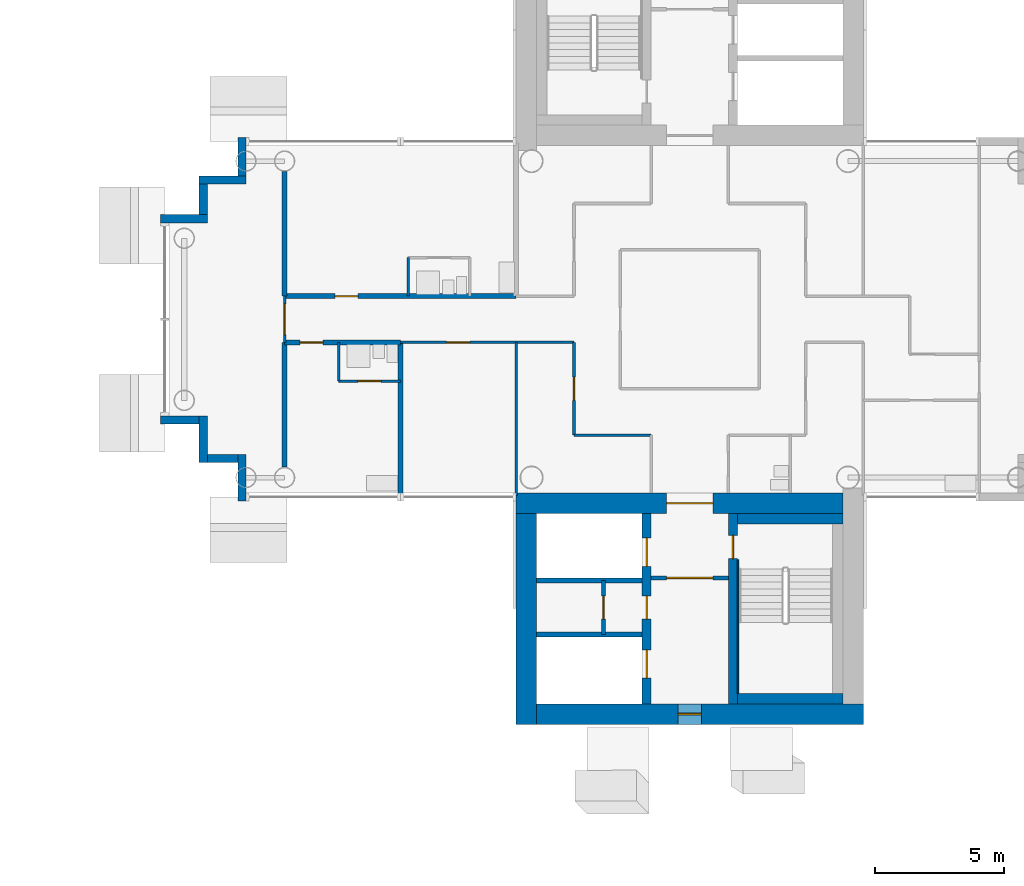
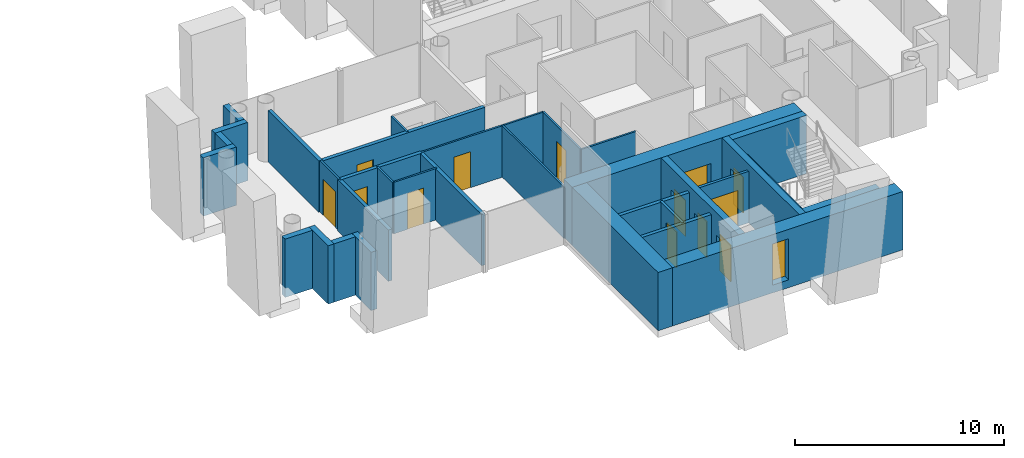
# One storey, part 9 of 18: 33 walls, 13 doors, 1 window, 14 openings.
"""IFC4 building model written with IfcOpenShell, lengths in metres."""

from ifc_helpers import new_model, si_unit, direction, frame, frame_2d, origin, place, context, subcontext, project, spatial, rectangle, extrude, material, layer, layer_set, type_object, element, fill, save


model = new_model("IFC4")

# Units and contexts
model_context = context("Model", 3, precision=1e-05, world=origin(), true_north=direction((0.0, 1.0)))
body_context = subcontext(model_context, "Body", "Model", "MODEL_VIEW")
ifc_project = project(units=[si_unit("LENGTHUNIT", "METRE"), si_unit("AREAUNIT", "SQUARE_METRE"), si_unit("VOLUMEUNIT", "CUBIC_METRE"), si_unit("PLANEANGLEUNIT", "RADIAN"), si_unit("MASSUNIT", "GRAM", prefix="KILO")], contexts=[model_context])

# Site, building, storey
site_placement = place(None, origin())
site = spatial("IfcSite", under=ifc_project, at=site_placement, CompositionType="ELEMENT")
building_placement = place(site_placement, origin())
building = spatial("IfcBuilding", under=site, at=building_placement, Name="Ipe Terrace Towers", CompositionType="ELEMENT")
storey_placement = place(building_placement, frame((0.0, 0.0, 171.10009765625)))
storey = spatial("IfcBuildingStorey", under=building, at=storey_placement, Name="L47", CompositionType="ELEMENT", Elevation=171.10009765625)

# Walls
ifc_material_1 = material(Name="Concrete C40/50 with buff precast cladding", Category="concrete")
ifc_layer_1 = layer(ifc_material_1, 0.320068359375)
ifc_layer_set_1 = layer_set([ifc_layer_1], Name="BUFF CLADDING WALL 320")
wall_type_1 = type_object("IfcWallType", Name="BUFF CLADDING WALL 320", PredefinedType="STANDARD", material=ifc_layer_set_1)
wall_1_placement = place(storey_placement, frame((18.590087890625, 7.070068359375, -0.300048828125), z_axis=(0.0, 0.0, 1.0), x_axis=(0.0, -1.0, 0.0)))
element("IfcWall", 1, at=wall_1_placement, inside=storey, type_object=wall_type_1, Name="T2-W-L47-30a wall", PredefinedType="STANDARD", context=body_context, shape_type="SweptSolid", body=[
    extrude(rectangle(XDim=1.5, YDim=0.320068359375, at=frame_2d((0.75, 0.0))), origin(), (0.0, 0.0, 1.0), 3.39990234375),
])
wall_2_placement = place(storey_placement, frame((18.75, 5.409912109375, -0.300048828125), z_axis=(0.0, 0.0, 1.0), x_axis=(-1.0, 0.0, 0.0)))
element("IfcWall", 2, at=wall_2_placement, inside=storey, type_object=wall_type_1, Name="T2-W-L47-31a wall", PredefinedType="STANDARD", context=body_context, shape_type="SweptSolid", body=[
    extrude(rectangle(XDim=1.820068359375, YDim=0.320068359375, at=frame_2d((0.91015625, 0.0))), origin(), (0.0, 0.0, 1.0), 3.39990234375),
])
wall_3_placement = place(storey_placement, frame((17.090087890625, 5.25, -0.300048828125), z_axis=(0.0, 0.0, 1.0), x_axis=(0.0, -1.0, 0.0)))
element("IfcWall", 3, at=wall_3_placement, inside=storey, type_object=wall_type_1, Name="T2-W-L47-32a wall", PredefinedType="STANDARD", context=body_context, shape_type="SweptSolid", body=[
    extrude(rectangle(XDim=1.179931640625, YDim=0.320068359375, at=frame_2d((0.58984375, 0.0))), origin(), (0.0, 0.0, 1.0), 3.39990234375),
])
wall_4_placement = place(storey_placement, frame((17.25, 3.909912109375, -0.300048828125), z_axis=(0.0, 0.0, 1.0), x_axis=(-1.0, 0.0, 0.0)))
element("IfcWall", 4, at=wall_4_placement, inside=storey, type_object=wall_type_1, Name="T2-W-L47-33a wall", PredefinedType="STANDARD", context=body_context, shape_type="SweptSolid", body=[
    extrude(rectangle(XDim=1.820068359375, YDim=0.320068359375, at=frame_2d((0.91015625, 0.0))), origin(), (0.0, 0.0, 1.0), 3.39990234375),
])
wall_5_placement = place(storey_placement, frame((15.429931640625, -3.909912109375, -0.300048828125), z_axis=(0.0, 0.0, 1.0), x_axis=(1.0, 0.0, 0.0)))
element("IfcWall", 5, at=wall_5_placement, inside=storey, type_object=wall_type_1, Name="T2-W-L47-35a wall", PredefinedType="STANDARD", context=body_context, shape_type="SweptSolid", body=[
    extrude(rectangle(XDim=1.5, YDim=0.320068359375, at=frame_2d((0.75, 0.0))), origin(), (0.0, 0.0, 1.0), 3.39990234375),
])
wall_6_placement = place(storey_placement, frame((17.090087890625, -3.75, -0.300048828125), z_axis=(0.0, 0.0, 1.0), x_axis=(0.0, -1.0, 0.0)))
element("IfcWall", 6, at=wall_6_placement, inside=storey, type_object=wall_type_1, Name="T2-W-L47-36a wall", PredefinedType="STANDARD", context=body_context, shape_type="SweptSolid", body=[
    extrude(rectangle(XDim=1.820068359375, YDim=0.320068359375, at=frame_2d((0.91015625, 0.0))), origin(), (0.0, 0.0, 1.0), 3.39990234375),
])
wall_7_placement = place(storey_placement, frame((17.25, -5.409912109375, -0.300048828125), z_axis=(0.0, 0.0, 1.0), x_axis=(1.0, 0.0, 0.0)))
element("IfcWall", 7, at=wall_7_placement, inside=storey, type_object=wall_type_1, Name="T2-W-L47-37a wall", PredefinedType="STANDARD", context=body_context, shape_type="SweptSolid", body=[
    extrude(rectangle(XDim=1.179931640625, YDim=0.320068359375, at=frame_2d((0.58984375, 0.0))), origin(), (0.0, 0.0, 1.0), 3.39990234375),
])
wall_8_placement = place(storey_placement, frame((18.590087890625, -5.25, -0.300048828125), z_axis=(0.0, 0.0, 1.0), x_axis=(0.0, -1.0, 0.0)))
element("IfcWall", 8, at=wall_8_placement, inside=storey, type_object=wall_type_1, Name="T2-W-L47-38a wall", PredefinedType="STANDARD", context=body_context, shape_type="SweptSolid", body=[
    extrude(rectangle(XDim=1.820068359375, YDim=0.320068359375, at=frame_2d((0.91015625, 0.0))), origin(), (0.0, 0.0, 1.0), 3.39990234375),
])
ifc_material_2 = material(Name="Gypsum board partition", Category="plasterboard")
ifc_layer_2 = layer(ifc_material_2, 0.10009765625)
ifc_layer_set_2 = layer_set([ifc_layer_2], Name="Gypsum board partition 100 mm")
wall_type_2 = type_object("IfcWallType", Name="Gypsum board partition 100 mm", PredefinedType="PARTITIONING", material=ifc_layer_set_2)
wall_9_placement = place(storey_placement, frame((34.5, -4.5, 0.0), z_axis=(0.0, 0.0, 1.0), x_axis=(-1.0, 0.0, 0.0)))
element("IfcWall", 9, at=wall_9_placement, inside=storey, type_object=wall_type_2, Name="Gypsum board partition T2 L47 W02", PredefinedType="PARTITIONING", context=body_context, shape_type="SweptSolid", body=[
    extrude(rectangle(XDim=3.0, YDim=0.10009765625, at=frame_2d((1.5, 0.0))), origin(), (0.0, 0.0, 1.0), 3.0),
])

# Wall, opening, door
wall_10_placement = place(storey_placement, frame((24.75, -2.39990234375, 0.0), z_axis=(0.0, 0.0, 1.0), x_axis=(-1.0, 0.0, 0.0)))
wall_10 = element("IfcWall", 10, at=wall_10_placement, inside=storey, type_object=wall_type_2, Name="Gypsum board partition T2 L47 W05", PredefinedType="PARTITIONING", context=body_context, shape_type="SweptSolid", body=[
    extrude(rectangle(XDim=2.39990234375, YDim=0.10009765625, at=frame_2d((1.199951171875, 0.0))), origin(), (0.0, 0.0, 1.0), 3.0),
])
opening_1_placement = place(wall_10_placement, frame((0.75, 0.0, 0.0)))
opening_1 = element("IfcOpeningElement", 11, at=opening_1_placement, cuts=wall_10, Name="Opening T2-Z3F-09", PredefinedType="OPENING", context=body_context, shape_type="SweptSolid", body=[
    extrude(rectangle(XDim=0.89990234375, YDim=2.10009765625, at=frame_2d((0.449951171875, 1.050048828125))), frame((0.0, 0.06005859375, 0.0), z_axis=(0.0, -1.0, 0.0), x_axis=(1.0, 0.0, 0.0)), (0.0, 0.0, 1.0), 0.1201171875),
])
ifc_material_3 = material(Name="Timber door leaf", Category="wood")
door_type_1 = type_object("IfcDoorType", Name="Bathroom door 900 x 2100", OperationType="NOTDEFINED", PredefinedType="DOOR", material=ifc_material_3)
door_1_placement = place(opening_1_placement, origin())
door_1 = element("IfcDoor", 12, at=door_1_placement, inside=storey, type_object=door_type_1, Name="Bathroom door T2-Z3F-09", OperationType="SINGLE_SWING_LEFT", OverallHeight=2.10009765625, OverallWidth=0.89990234375, PredefinedType="DOOR", context=body_context, shape_type="SweptSolid", body=[
    extrude(rectangle(XDim=0.89990234375, YDim=2.10009765625, at=frame_2d((0.449951171875, 1.050048828125))), frame((0.0, 0.02490234375, 0.0), z_axis=(0.0, -1.0, 0.0), x_axis=(1.0, 0.0, 0.0)), (0.0, 0.0, 1.0), 0.050048828125),
])
fill(opening_1, door_1)

wall_11_placement = place(storey_placement, frame((31.5, -0.89990234375, 0.0), z_axis=(0.0, 0.0, 1.0), x_axis=(-1.0, 0.0, 0.0)))
wall_11 = element("IfcWall", 13, at=wall_11_placement, inside=storey, type_object=wall_type_2, Name="Gypsum board partition T2 L47 W08", PredefinedType="PARTITIONING", context=body_context, shape_type="SweptSolid", body=[
    extrude(rectangle(XDim=6.75, YDim=0.10009765625, at=frame_2d((3.375, 0.0))), origin(), (0.0, 0.0, 1.0), 3.0),
])
opening_2_placement = place(wall_11_placement, frame((4.050048828125, 0.0, 0.0)))
opening_2 = element("IfcOpeningElement", 14, at=opening_2_placement, cuts=wall_11, Name="Opening T2-Z3F-07", PredefinedType="OPENING", context=body_context, shape_type="SweptSolid", body=[
    extrude(rectangle(XDim=0.89990234375, YDim=2.10009765625, at=frame_2d((0.449951171875, 1.050048828125))), frame((0.0, 0.06005859375, 0.0), z_axis=(0.0, -1.0, 0.0), x_axis=(1.0, 0.0, 0.0)), (0.0, 0.0, 1.0), 0.1201171875),
])
ifc_material_4 = material(Name="Timber door leaf", Category="wood")
door_type_2 = type_object("IfcDoorType", Name="Lounge door 900 x 2100", OperationType="NOTDEFINED", PredefinedType="DOOR", material=ifc_material_4)
door_2_placement = place(opening_2_placement, origin())
door_2 = element("IfcDoor", 15, at=door_2_placement, inside=storey, type_object=door_type_2, Name="Lounge door T2-Z3F-07", OperationType="SINGLE_SWING_LEFT", OverallHeight=2.10009765625, OverallWidth=0.89990234375, PredefinedType="DOOR", context=body_context, shape_type="SweptSolid", body=[
    extrude(rectangle(XDim=0.89990234375, YDim=2.10009765625, at=frame_2d((0.449951171875, 1.050048828125))), frame((0.0, 0.02490234375, 0.0), z_axis=(0.0, -1.0, 0.0), x_axis=(1.0, 0.0, 0.0)), (0.0, 0.0, 1.0), 0.050048828125),
])
fill(opening_2, door_2)

wall_12_placement = place(storey_placement, frame((31.5, -4.5, 0.0), z_axis=(0.0, 0.0, 1.0), x_axis=(0.0, 1.0, 0.0)))
wall_12 = element("IfcWall", 16, at=wall_12_placement, inside=storey, type_object=wall_type_2, Name="Gypsum board partition T2 L47 W41", PredefinedType="PARTITIONING", context=body_context, shape_type="SweptSolid", body=[
    extrude(rectangle(XDim=3.60009765625, YDim=0.10009765625, at=frame_2d((1.800048828125, 0.0))), origin(), (0.0, 0.0, 1.0), 3.0),
])
opening_3_placement = place(wall_12_placement, frame((1.35009765625, 0.0, 0.0)))
opening_3 = element("IfcOpeningElement", 17, at=opening_3_placement, cuts=wall_12, Name="Opening T2-Z3F-04", PredefinedType="OPENING", context=body_context, shape_type="SweptSolid", body=[
    extrude(rectangle(XDim=0.89990234375, YDim=2.10009765625, at=frame_2d((0.449951171875, 1.050048828125))), frame((0.0, 0.06005859375, 0.0), z_axis=(0.0, -1.0, 0.0), x_axis=(1.0, 0.0, 0.0)), (0.0, 0.0, 1.0), 0.1201171875),
])
door_3_placement = place(opening_3_placement, origin())
door_3 = element("IfcDoor", 18, at=door_3_placement, inside=storey, type_object=door_type_2, Name="Lounge door T2-Z3F-04", OperationType="SINGLE_SWING_LEFT", OverallHeight=2.10009765625, OverallWidth=0.89990234375, PredefinedType="DOOR", context=body_context, shape_type="SweptSolid", body=[
    extrude(rectangle(XDim=0.89990234375, YDim=2.10009765625, at=frame_2d((0.449951171875, 1.050048828125))), frame((0.0, 0.02490234375, 0.0), z_axis=(0.0, -1.0, 0.0), x_axis=(1.0, 0.0, 0.0)), (0.0, 0.0, 1.0), 0.050048828125),
])
fill(opening_3, door_3)

# Walls
wall_13_placement = place(storey_placement, frame((29.25, -6.85009765625, 0.0), z_axis=(0.0, 0.0, 1.0), x_axis=(0.0, 1.0, 0.0)))
element("IfcWall", 19, at=wall_13_placement, inside=storey, type_object=wall_type_2, Name="Gypsum board partition T2 L47 W43", PredefinedType="PARTITIONING", context=body_context, shape_type="SweptSolid", body=[
    extrude(rectangle(XDim=5.9501953125, YDim=0.10009765625, at=frame_2d((2.97509765625, 0.0))), origin(), (0.0, 0.0, 1.0), 3.0),
])
for number, where, z_axis, x_axis, name in (
    (20, (25.050048828125, 0.89990234375, 0.0), (0.0, 0.0, 1.0), (0.0, 1.0, 0.0), "Gypsum board partition T2 L47 W46"),
    (21, (22.35009765625, -2.39990234375, 0.0), (0.0, 0.0, 1.0), (0.0, 1.0, 0.0), "Gypsum board partition T2 L47 W48"),
):
    element("IfcWall", number, at=place(storey_placement, frame(where, z_axis=z_axis, x_axis=x_axis)), inside=storey, type_object=wall_type_2, Name=name, PredefinedType="PARTITIONING", context=body_context, shape_type="SweptSolid", body=[
        extrude(rectangle(XDim=1.5, YDim=0.10009765625, at=frame_2d((0.75, 0.0))), origin(), (0.0, 0.0, 1.0), 3.0),
    ])

# Wall, opening, door
wall_14_placement = place(storey_placement, frame((20.25, -0.89990234375, 0.0), z_axis=(0.0, 0.0, 1.0), x_axis=(0.0, 1.0, 0.0)))
wall_14 = element("IfcWall", 22, at=wall_14_placement, inside=storey, type_object=wall_type_2, Name="Gypsum board partition T2 L47 W49", PredefinedType="PARTITIONING", context=body_context, shape_type="SweptSolid", body=[
    extrude(rectangle(XDim=1.7998046875, YDim=0.10009765625, at=frame_2d((0.89990234375, 0.0))), origin(), (0.0, 0.0, 1.0), 3.0),
])
opening_4_placement = place(wall_14_placement, frame((0.300048828125, 0.0, 0.0)))
opening_4 = element("IfcOpeningElement", 23, at=opening_4_placement, cuts=wall_14, Name="Opening T2-Z3F-12", PredefinedType="OPENING", context=body_context, shape_type="SweptSolid", body=[
    extrude(rectangle(XDim=1.199951171875, YDim=2.10009765625, at=frame_2d((0.60009765625, 1.050048828125))), frame((0.0, 0.06005859375, 0.0), z_axis=(0.0, -1.0, 0.0), x_axis=(1.0, 0.0, 0.0)), (0.0, 0.0, 1.0), 0.1201171875),
])
ifc_material_5 = material(Name="Timber door leaf", Category="wood")
door_type_3 = type_object("IfcDoorType", Name="Lounge door 1200 x 2100", OperationType="NOTDEFINED", PredefinedType="DOOR", material=ifc_material_5)
door_4_placement = place(opening_4_placement, origin())
door_4 = element("IfcDoor", 24, at=door_4_placement, inside=storey, type_object=door_type_3, Name="Lounge door T2-Z3F-12", OperationType="SINGLE_SWING_LEFT", OverallHeight=2.10009765625, OverallWidth=1.199951171875, PredefinedType="DOOR", context=body_context, shape_type="SweptSolid", body=[
    extrude(rectangle(XDim=1.199951171875, YDim=2.10009765625, at=frame_2d((0.60009765625, 1.050048828125))), frame((0.0, 0.02490234375, 0.0), z_axis=(0.0, -1.0, 0.0), x_axis=(1.0, 0.0, 0.0)), (0.0, 0.0, 1.0), 0.050048828125),
])
fill(opening_4, door_4)

ifc_material_6 = material(Name="Gypsum board partition", Category="plasterboard")
ifc_layer_3 = layer(ifc_material_6, 0.14990234375)
ifc_layer_set_3 = layer_set([ifc_layer_3], Name="Gypsum board partition 150 mm")
wall_type_3 = type_object("IfcWallType", Name="Gypsum board partition 150 mm", PredefinedType="PARTITIONING", material=ifc_layer_set_3)
wall_15_placement = place(storey_placement, frame((34.5, -10.050048828125, 0.0), z_axis=(0.0, 0.0, 1.0), x_axis=(1.0, 0.0, 0.0)))
wall_15 = element("IfcWall", 25, at=wall_15_placement, inside=storey, type_object=wall_type_3, Name="Gypsum board partition T2 L47 t2c2-lobby-wall", PredefinedType="PARTITIONING", context=body_context, shape_type="SweptSolid", body=[
    extrude(rectangle(XDim=3.0, YDim=0.14990234375, at=frame_2d((1.5, 0.0))), origin(), (0.0, 0.0, 1.0), 3.0),
])
opening_5_placement = place(wall_15_placement, frame((0.60009765625, 0.0, 0.0)))
opening_5 = element("IfcOpeningElement", 26, at=opening_5_placement, cuts=wall_15, Name="Opening T2C2-VD", PredefinedType="OPENING", context=body_context, shape_type="SweptSolid", body=[
    extrude(rectangle(XDim=1.800048828125, YDim=2.10009765625, at=frame_2d((0.89990234375, 1.050048828125))), frame((0.0, 0.0849609375, 0.0), z_axis=(0.0, -1.0, 0.0), x_axis=(1.0, 0.0, 0.0)), (0.0, 0.0, 1.0), 0.169921875),
])
ifc_material_7 = material(Name="Fire-rated timber door leaf", Category="wood")
door_type_4 = type_object("IfcDoorType", Name="Lobby door 1800 x 2100 FD60", OperationType="NOTDEFINED", PredefinedType="DOOR", material=ifc_material_7)
door_5_placement = place(opening_5_placement, origin())
door_5 = element("IfcDoor", 27, at=door_5_placement, inside=storey, type_object=door_type_4, Name="Lobby door T2C2-VD", OperationType="SINGLE_SWING_LEFT", OverallHeight=2.10009765625, OverallWidth=1.800048828125, PredefinedType="DOOR", context=body_context, shape_type="SweptSolid", body=[
    extrude(rectangle(XDim=1.800048828125, YDim=2.10009765625, at=frame_2d((0.89990234375, 1.050048828125))), frame((0.0, 0.02490234375, 0.0), z_axis=(0.0, -1.0, 0.0), x_axis=(1.0, 0.0, 0.0)), (0.0, 0.0, 1.0), 0.050048828125),
])
fill(opening_5, door_5)

wall_16_placement = place(storey_placement, frame((32.64990234375, -10.14990234375, 0.0), z_axis=(0.0, 0.0, 1.0), x_axis=(0.0, -1.0, 0.0)))
wall_16 = element("IfcWall", 28, at=wall_16_placement, inside=storey, type_object=wall_type_3, Name="Gypsum board partition T2 L47 t2c2-q-back", PredefinedType="PARTITIONING", context=body_context, shape_type="SweptSolid", body=[
    extrude(rectangle(XDim=2.10009765625, YDim=0.14990234375, at=frame_2d((1.050048828125, 0.0))), origin(), (0.0, 0.0, 1.0), 3.0),
])
opening_6_placement = place(wall_16_placement, frame((0.60009765625, 0.0, 0.0)))
opening_6 = element("IfcOpeningElement", 29, at=opening_6_placement, cuts=wall_16, Name="Opening T2C2-RB-FD30S", PredefinedType="OPENING", context=body_context, shape_type="SweptSolid", body=[
    extrude(rectangle(XDim=0.89990234375, YDim=2.10009765625, at=frame_2d((0.449951171875, 1.050048828125))), frame((0.0, 0.0849609375, 0.0), z_axis=(0.0, -1.0, 0.0), x_axis=(1.0, 0.0, 0.0)), (0.0, 0.0, 1.0), 0.169921875),
])
ifc_material_8 = material(Name="Fire-rated timber door leaf", Category="wood")
door_type_5 = type_object("IfcDoorType", Name="Service door 900 x 2100 FD30S", OperationType="NOTDEFINED", PredefinedType="DOOR", material=ifc_material_8)
door_6_placement = place(opening_6_placement, origin())
door_6 = element("IfcDoor", 30, at=door_6_placement, inside=storey, type_object=door_type_5, Name="Service door T2C2-RB-FD30S", OperationType="SINGLE_SWING_LEFT", OverallHeight=2.10009765625, OverallWidth=0.89990234375, PredefinedType="DOOR", context=body_context, shape_type="SweptSolid", body=[
    extrude(rectangle(XDim=0.89990234375, YDim=2.10009765625, at=frame_2d((0.449951171875, 1.050048828125))), frame((0.0, 0.02490234375, 0.0), z_axis=(0.0, -1.0, 0.0), x_axis=(1.0, 0.0, 0.0)), (0.0, 0.0, 1.0), 0.050048828125),
])
fill(opening_6, door_6)

# Walls
ifc_material_9 = material(Name="Gypsum board party wall", Category="plasterboard")
ifc_layer_4 = layer(ifc_material_9, 0.199951171875)
ifc_layer_set_4 = layer_set([ifc_layer_4], Name="Gypsum board party wall 200 mm")
wall_type_4 = type_object("IfcWallType", Name="Gypsum board party wall 200 mm", PredefinedType="SOLIDWALL", material=ifc_layer_set_4)
for number, where, z_axis, x_axis, name in (
    (31, (30.050048828125, -12.25, 0.0), (0.0, 0.0, 1.0), (1.0, 0.0, 0.0), "Gypsum board party wall T2 L47 t2c2-shaft-div2"),
    (32, (30.050048828125, -10.14990234375, 0.0), (0.0, 0.0, 1.0), (1.0, 0.0, 0.0), "Gypsum board party wall T2 L47 t2c2-shaft-div1"),
):
    element("IfcWall", number, at=place(storey_placement, frame(where, z_axis=z_axis, x_axis=x_axis)), inside=storey, type_object=wall_type_4, Name=name, PredefinedType="SOLIDWALL", context=body_context, shape_type="SweptSolid", body=[
        extrude(rectangle(XDim=4.099853515625, YDim=0.199951171875, at=frame_2d((2.0498046875, 0.0))), origin(), (0.0, 0.0, 1.0), 3.0),
    ])

# Wall, opening, door
wall_17_placement = place(storey_placement, frame((24.75, -0.89990234375, 0.0), z_axis=(0.0, 0.0, 1.0), x_axis=(-1.0, 0.0, 0.0)))
wall_17 = element("IfcWall", 33, at=wall_17_placement, inside=storey, type_object=wall_type_4, Name="Gypsum board party wall T2 L47 W09", PredefinedType="SOLIDWALL", context=body_context, shape_type="SweptSolid", body=[
    extrude(rectangle(XDim=4.5, YDim=0.199951171875, at=frame_2d((2.25, 0.0))), origin(), (0.0, 0.0, 1.0), 3.0),
])
opening_7_placement = place(wall_17_placement, frame((3.0, 0.0, 0.0)))
opening_7 = element("IfcOpeningElement", 34, at=opening_7_placement, cuts=wall_17, Name="Opening T2-Z3F-08", PredefinedType="OPENING", context=body_context, shape_type="SweptSolid", body=[
    extrude(rectangle(XDim=0.89990234375, YDim=2.10009765625, at=frame_2d((0.449951171875, 1.050048828125))), frame((0.0, 0.10986328125, 0.0), z_axis=(0.0, -1.0, 0.0), x_axis=(1.0, 0.0, 0.0)), (0.0, 0.0, 1.0), 0.219970703125),
])
ifc_material_10 = material(Name="Fire-rated timber door leaf", Category="wood")
door_type_6 = type_object("IfcDoorType", Name="Flat entrance door 900 x 2100 FD30S", OperationType="NOTDEFINED", PredefinedType="DOOR", material=ifc_material_10)
door_7_placement = place(opening_7_placement, origin())
door_7 = element("IfcDoor", 35, at=door_7_placement, inside=storey, type_object=door_type_6, Name="Flat entrance door T2-Z3F-08", OperationType="SINGLE_SWING_LEFT", OverallHeight=2.10009765625, OverallWidth=0.89990234375, PredefinedType="DOOR", context=body_context, shape_type="SweptSolid", body=[
    extrude(rectangle(XDim=0.89990234375, YDim=2.10009765625, at=frame_2d((0.449951171875, 1.050048828125))), frame((0.0, 0.02490234375, 0.0), z_axis=(0.0, -1.0, 0.0), x_axis=(1.0, 0.0, 0.0)), (0.0, 0.0, 1.0), 0.050048828125),
])
fill(opening_7, door_7)

wall_18_placement = place(storey_placement, frame((29.25, 0.89990234375, 0.0), z_axis=(0.0, 0.0, 1.0), x_axis=(-1.0, 0.0, 0.0)))
wall_18 = element("IfcWall", 36, at=wall_18_placement, inside=storey, type_object=wall_type_4, Name="Gypsum board party wall T2 L47 W12", PredefinedType="SOLIDWALL", context=body_context, shape_type="SweptSolid", body=[
    extrude(rectangle(XDim=9.0, YDim=0.199951171875, at=frame_2d((4.5, 0.0))), origin(), (0.0, 0.0, 1.0), 3.0),
])
opening_8_placement = place(wall_18_placement, frame((6.14990234375, 0.0, 0.0)))
opening_8 = element("IfcOpeningElement", 37, at=opening_8_placement, cuts=wall_18, Name="Opening T2-Z3F-10", PredefinedType="OPENING", context=body_context, shape_type="SweptSolid", body=[
    extrude(rectangle(XDim=0.89990234375, YDim=2.10009765625, at=frame_2d((0.449951171875, 1.050048828125))), frame((0.0, 0.10986328125, 0.0), z_axis=(0.0, -1.0, 0.0), x_axis=(1.0, 0.0, 0.0)), (0.0, 0.0, 1.0), 0.219970703125),
])
door_8_placement = place(opening_8_placement, origin())
door_8 = element("IfcDoor", 38, at=door_8_placement, inside=storey, type_object=door_type_6, Name="Flat entrance door T2-Z3F-10", OperationType="SINGLE_SWING_RIGHT", OverallHeight=2.10009765625, OverallWidth=0.89990234375, PredefinedType="DOOR", context=body_context, shape_type="SweptSolid", body=[
    extrude(rectangle(XDim=0.89990234375, YDim=2.10009765625, at=frame_2d((0.449951171875, 1.050048828125))), frame((0.0, 0.02490234375, 0.0), z_axis=(0.0, -1.0, 0.0), x_axis=(1.0, 0.0, 0.0)), (0.0, 0.0, 1.0), 0.050048828125),
])
fill(opening_8, door_8)

# Walls
wall_19_placement = place(storey_placement, frame((24.75, -6.85009765625, 0.0), z_axis=(0.0, 0.0, 1.0), x_axis=(0.0, 1.0, 0.0)))
element("IfcWall", 39, at=wall_19_placement, inside=storey, type_object=wall_type_4, Name="Gypsum board party wall T2 L47 W47", PredefinedType="SOLIDWALL", context=body_context, shape_type="SweptSolid", body=[
    extrude(rectangle(XDim=5.9501953125, YDim=0.199951171875, at=frame_2d((2.97509765625, 0.0))), origin(), (0.0, 0.0, 1.0), 3.0),
])
for number, where, z_axis, x_axis, name in (
    (40, (20.25, -5.75, 0.0), (0.0, 0.0, 1.0), (0.0, 1.0, 0.0), "Gypsum board party wall T2 L47 W50"),
    (41, (20.25, 0.89990234375, 0.0), (0.0, 0.0, 1.0), (0.0, 1.0, 0.0), "Gypsum board party wall T2 L47 W51"),
):
    element("IfcWall", number, at=place(storey_placement, frame(where, z_axis=z_axis, x_axis=x_axis)), inside=storey, type_object=wall_type_4, Name=name, PredefinedType="SOLIDWALL", context=body_context, shape_type="SweptSolid", body=[
        extrude(rectangle(XDim=4.85009765625, YDim=0.199951171875, at=frame_2d((2.425048828125, 0.0))), origin(), (0.0, 0.0, 1.0), 3.0),
    ])

# Wall, openings, doors
ifc_material_11 = material(Name="Concrete C50/60", Category="concrete")
ifc_layer_5 = layer(ifc_material_11, 0.35009765625)
ifc_layer_set_5 = layer_set([ifc_layer_5], Name="RW350 CORE SPINE WALL 350 C50-60")
wall_type_5 = type_object("IfcWallType", Name="RW350 CORE SPINE WALL 350 C50-60", PredefinedType="SHEAR", material=ifc_layer_set_5)
wall_20_placement = place(storey_placement, frame((34.324951171875, -14.949951171875, 0.0), z_axis=(0.0, 0.0, 1.0), x_axis=(0.0, 1.0, 0.0)))
wall_20 = element("IfcWall", 42, at=wall_20_placement, inside=storey, type_object=wall_type_5, Name="Core spine wall T2-C2-Z3-SW1", PredefinedType="SHEAR", context=body_context, shape_type="SweptSolid", body=[
    extrude(rectangle(XDim=7.39990234375, YDim=0.35009765625, at=frame_2d((3.699951171875, 0.0))), origin(), (0.0, 0.0, 1.0), 3.39990234375),
])
opening_9_placement = place(wall_20_placement, frame((5.35009765625, 0.0, 0.0)))
opening_9 = element("IfcOpeningElement", 43, at=opening_9_placement, cuts=wall_20, Name="Opening T2C2-LD1", PredefinedType="OPENING", context=body_context, shape_type="SweptSolid", body=[
    extrude(rectangle(XDim=1.10009765625, YDim=2.10009765625, at=frame_2d((0.550048828125, 1.050048828125))), frame((0.0, 0.18505859375, 0.0), z_axis=(0.0, -1.0, 0.0), x_axis=(1.0, 0.0, 0.0)), (0.0, 0.0, 1.0), 0.3701171875),
])
opening_10_placement = place(wall_20_placement, frame((1.0, 0.0, 0.0)))
opening_10 = element("IfcOpeningElement", 44, at=opening_10_placement, cuts=wall_20, Name="Opening T2C2-LD3", PredefinedType="OPENING", context=body_context, shape_type="SweptSolid", body=[
    extrude(rectangle(XDim=1.10009765625, YDim=2.10009765625, at=frame_2d((0.550048828125, 1.050048828125))), frame((0.0, 0.18505859375, 0.0), z_axis=(0.0, -1.0, 0.0), x_axis=(1.0, 0.0, 0.0)), (0.0, 0.0, 1.0), 0.3701171875),
])
opening_11_placement = place(wall_20_placement, frame((3.300048828125, 0.0, 0.0)))
opening_11 = element("IfcOpeningElement", 45, at=opening_11_placement, cuts=wall_20, Name="Opening T2C2-R1", PredefinedType="OPENING", context=body_context, shape_type="SweptSolid", body=[
    extrude(rectangle(XDim=0.89990234375, YDim=2.10009765625, at=frame_2d((0.449951171875, 1.050048828125))), frame((0.0, 0.18505859375, 0.0), z_axis=(0.0, -1.0, 0.0), x_axis=(1.0, 0.0, 0.0)), (0.0, 0.0, 1.0), 0.3701171875),
])
ifc_material_12 = material(Name="Fire-rated timber door leaf", Category="wood")
door_type_7 = type_object("IfcDoorType", Name="Sliding door 1100 x 2100 FD60", OperationType="SLIDING_TO_LEFT", PredefinedType="DOOR", material=ifc_material_12)
door_9_placement = place(opening_9_placement, origin())
door_9 = element("IfcDoor", 46, at=door_9_placement, inside=storey, type_object=door_type_7, Name="Sliding door T2C2-LD1", OperationType="SLIDING_TO_LEFT", OverallHeight=2.10009765625, OverallWidth=1.10009765625, PredefinedType="DOOR", context=body_context, shape_type="SweptSolid", body=[
    extrude(rectangle(XDim=1.10009765625, YDim=2.10009765625, at=frame_2d((0.550048828125, 1.050048828125))), frame((0.0, 0.02490234375, 0.0), z_axis=(0.0, -1.0, 0.0), x_axis=(1.0, 0.0, 0.0)), (0.0, 0.0, 1.0), 0.050048828125),
])
fill(opening_9, door_9)
door_10_placement = place(opening_10_placement, origin())
door_10 = element("IfcDoor", 47, at=door_10_placement, inside=storey, type_object=door_type_7, Name="Sliding door T2C2-LD3", OperationType="SLIDING_TO_LEFT", OverallHeight=2.10009765625, OverallWidth=1.10009765625, PredefinedType="DOOR", context=body_context, shape_type="SweptSolid", body=[
    extrude(rectangle(XDim=1.10009765625, YDim=2.10009765625, at=frame_2d((0.550048828125, 1.050048828125))), frame((0.0, 0.02490234375, 0.0), z_axis=(0.0, -1.0, 0.0), x_axis=(1.0, 0.0, 0.0)), (0.0, 0.0, 1.0), 0.050048828125),
])
fill(opening_10, door_10)
ifc_material_13 = material(Name="Timber door leaf", Category="wood")
door_type_8 = type_object("IfcDoorType", Name="Store door 900 x 2100", OperationType="NOTDEFINED", PredefinedType="DOOR", material=ifc_material_13)
door_11_placement = place(opening_11_placement, origin())
door_11 = element("IfcDoor", 48, at=door_11_placement, inside=storey, type_object=door_type_8, Name="Store door T2C2-R1", OperationType="SINGLE_SWING_LEFT", OverallHeight=2.10009765625, OverallWidth=0.89990234375, PredefinedType="DOOR", context=body_context, shape_type="SweptSolid", body=[
    extrude(rectangle(XDim=0.89990234375, YDim=2.10009765625, at=frame_2d((0.449951171875, 1.050048828125))), frame((0.0, 0.02490234375, 0.0), z_axis=(0.0, -1.0, 0.0), x_axis=(1.0, 0.0, 0.0)), (0.0, 0.0, 1.0), 0.050048828125),
])
fill(opening_11, door_11)

# Wall, opening, door
wall_21_placement = place(storey_placement, frame((37.675048828125, -14.949951171875, 0.0), z_axis=(0.0, 0.0, 1.0), x_axis=(0.0, 1.0, 0.0)))
wall_21 = element("IfcWall", 49, at=wall_21_placement, inside=storey, type_object=wall_type_5, Name="Core spine wall T2-C2-Z3-SW2", PredefinedType="SHEAR", context=body_context, shape_type="SweptSolid", body=[
    extrude(rectangle(XDim=7.39990234375, YDim=0.35009765625, at=frame_2d((3.699951171875, 0.0))), origin(), (0.0, 0.0, 1.0), 3.39990234375),
])
opening_12_placement = place(wall_21_placement, frame((5.64990234375, 0.0, 0.0)))
opening_12 = element("IfcOpeningElement", 50, at=opening_12_placement, cuts=wall_21, Name="Opening T2C2-SD", PredefinedType="OPENING", context=body_context, shape_type="SweptSolid", body=[
    extrude(rectangle(XDim=0.89990234375, YDim=2.10009765625, at=frame_2d((0.449951171875, 1.050048828125))), frame((0.0, 0.18505859375, 0.0), z_axis=(0.0, -1.0, 0.0), x_axis=(1.0, 0.0, 0.0)), (0.0, 0.0, 1.0), 0.3701171875),
])
ifc_material_14 = material(Name="Fire-rated timber door leaf", Category="wood")
door_type_9 = type_object("IfcDoorType", Name="Stair door 900 x 2100 FD60", OperationType="NOTDEFINED", PredefinedType="DOOR", material=ifc_material_14)
door_12_placement = place(opening_12_placement, origin())
door_12 = element("IfcDoor", 51, at=door_12_placement, inside=storey, type_object=door_type_9, Name="Stair door T2C2-SD", OperationType="SINGLE_SWING_RIGHT", OverallHeight=2.10009765625, OverallWidth=0.89990234375, PredefinedType="DOOR", context=body_context, shape_type="SweptSolid", body=[
    extrude(rectangle(XDim=0.89990234375, YDim=2.10009765625, at=frame_2d((0.449951171875, 1.050048828125))), frame((0.0, 0.02490234375, 0.0), z_axis=(0.0, -1.0, 0.0), x_axis=(1.0, 0.0, 0.0)), (0.0, 0.0, 1.0), 0.050048828125),
])
fill(opening_12, door_12)

# Walls
ifc_material_15 = material(Name="Concrete C50/60", Category="concrete")
ifc_layer_6 = layer(ifc_material_15, 0.39990234375)
ifc_layer_set_6 = layer_set([ifc_layer_6], Name="RW400 CORE INFILL WALL 400 C50-60")
wall_type_6 = type_object("IfcWallType", Name="RW400 CORE INFILL WALL 400 C50-60", PredefinedType="SHEAR", material=ifc_layer_set_6)
for number, where, z_axis, x_axis, name in (
    (52, (37.85009765625, -14.75, 0.0), (0.0, 0.0, 1.0), (1.0, 0.0, 0.0), "Core infill wall T2-C2-far"),
    (53, (37.85009765625, -7.75, 0.0), (0.0, 0.0, 1.0), (1.0, 0.0, 0.0), "Core infill wall T2-C2-near"),
):
    element("IfcWall", number, at=place(storey_placement, frame(where, z_axis=z_axis, x_axis=x_axis)), inside=storey, type_object=wall_type_6, Name=name, PredefinedType="SHEAR", context=body_context, shape_type="SweptSolid", body=[
        extrude(rectangle(XDim=4.099853515625, YDim=0.39990234375, at=frame_2d((2.0498046875, 0.0))), origin(), (0.0, 0.0, 1.0), 3.39990234375),
    ])
ifc_material_16 = material(Name="Concrete C50/60", Category="concrete")
ifc_layer_7 = layer(ifc_material_16, 0.050048828125)
ifc_layer_set_7 = layer_set([ifc_layer_7], Name="RW50 CORE INFILL WALL 50 C50-60")
wall_type_7 = type_object("IfcWallType", Name="RW50 CORE INFILL WALL 50 C50-60", PredefinedType="SHEAR", material=ifc_layer_set_7)
wall_22_placement = place(storey_placement, frame((37.875, -9.35009765625, 0.0), z_axis=(0.0, 0.0, 1.0), x_axis=(0.0, -1.0, 0.0)))
element("IfcWall", 54, at=wall_22_placement, inside=storey, type_object=wall_type_7, Name="Core infill wall T2-C2-spine-b", PredefinedType="SHEAR", context=body_context, shape_type="SweptSolid", body=[
    extrude(rectangle(XDim=5.199951171875, YDim=0.050048828125, at=frame_2d((2.60009765625, 0.0))), origin(), (0.0, 0.0, 1.0), 3.39990234375),
])

# Wall, opening, window
ifc_material_17 = material(Name="Concrete C50/60", Category="concrete")
ifc_layer_8 = layer(ifc_material_17, 0.800048828125)
ifc_layer_set_8 = layer_set([ifc_layer_8], Name="RW800 CORE WALL 800 C50-60")
wall_type_8 = type_object("IfcWallType", Name="RW800 CORE WALL 800 C50-60", PredefinedType="SHEAR", material=ifc_layer_set_8)
wall_23_placement = place(storey_placement, frame((30.050048828125, -15.35009765625, 0.0), z_axis=(0.0, 0.0, 1.0), x_axis=(1.0, 0.0, 0.0)))
wall_23 = element("IfcWall", 55, at=wall_23_placement, inside=storey, type_object=wall_type_8, Name="Core wall T2-C2-Z3-W01", PredefinedType="SHEAR", context=body_context, shape_type="SweptSolid", body=[
    extrude(rectangle(XDim=12.699951171875, YDim=0.800048828125, at=frame_2d((6.35009765625, 0.0))), origin(), (0.0, 0.0, 1.0), 3.39990234375),
])
opening_13_placement = place(wall_23_placement, frame((5.5, 0.0, 0.449951171875)))
opening_13 = element("IfcOpeningElement", 56, at=opening_13_placement, cuts=wall_23, Name="Opening T2-C2-W-01-L47", PredefinedType="OPENING", context=body_context, shape_type="SweptSolid", body=[
    extrude(rectangle(XDim=0.89990234375, YDim=2.39990234375, at=frame_2d((0.449951171875, 1.199951171875))), frame((0.0, 0.41015625, 0.0), z_axis=(0.0, -1.0, 0.0), x_axis=(1.0, 0.0, 0.0)), (0.0, 0.0, 1.0), 0.820068359375),
])
ifc_material_18 = material(Name="Fire-resistant glazing EI 60", Category="glass")
window_type = type_object("IfcWindowType", Name="CORRIDOR END SLOT WINDOW 900 x 2400 EI 60", PartitioningType="SINGLE_PANEL", PredefinedType="WINDOW", material=ifc_material_18)
window_placement = place(opening_13_placement, origin())
window = element("IfcWindow", 57, at=window_placement, inside=storey, type_object=window_type, Name="W-01 window", OverallHeight=2.39990234375, OverallWidth=0.89990234375, PartitioningType="SINGLE_PANEL", PredefinedType="WINDOW", context=body_context, shape_type="SweptSolid", body=[
    extrude(rectangle(XDim=0.89990234375, YDim=2.39990234375, at=frame_2d((0.449951171875, 1.199951171875))), frame((0.0, 0.030029296875, 0.0), z_axis=(0.0, -1.0, 0.0), x_axis=(1.0, 0.0, 0.0)), (0.0, 0.0, 1.0), 0.06005859375),
])
fill(opening_13, window)

# Wall, opening, door
wall_24_placement = place(storey_placement, frame((41.949951171875, -7.14990234375, 0.0), z_axis=(0.0, 0.0, 1.0), x_axis=(-1.0, 0.0, 0.0)))
wall_24 = element("IfcWall", 58, at=wall_24_placement, inside=storey, type_object=wall_type_8, Name="Core wall T2-C2-Z3-W03", PredefinedType="SHEAR", context=body_context, shape_type="SweptSolid", body=[
    extrude(rectangle(XDim=12.699951171875, YDim=0.800048828125, at=frame_2d((6.35009765625, 0.0))), origin(), (0.0, 0.0, 1.0), 3.39990234375),
])
opening_14_placement = place(wall_24_placement, frame((5.050048828125, 0.0, 0.0)))
opening_14 = element("IfcOpeningElement", 59, at=opening_14_placement, cuts=wall_24, Name="Opening T2C2-ND", PredefinedType="OPENING", context=body_context, shape_type="SweptSolid", body=[
    extrude(rectangle(XDim=1.800048828125, YDim=2.10009765625, at=frame_2d((0.89990234375, 1.050048828125))), frame((0.0, 0.41015625, 0.0), z_axis=(0.0, -1.0, 0.0), x_axis=(1.0, 0.0, 0.0)), (0.0, 0.0, 1.0), 0.820068359375),
])
ifc_material_19 = material(Name="Fire-rated timber door leaf", Category="wood")
door_type_10 = type_object("IfcDoorType", Name="Fire door 1800 x 2100 FD30S", OperationType="NOTDEFINED", PredefinedType="DOOR", material=ifc_material_19)
door_13_placement = place(opening_14_placement, origin())
door_13 = element("IfcDoor", 60, at=door_13_placement, inside=storey, type_object=door_type_10, Name="Fire door T2C2-ND", OperationType="SINGLE_SWING_LEFT", OverallHeight=2.10009765625, OverallWidth=1.800048828125, PredefinedType="DOOR", context=body_context, shape_type="SweptSolid", body=[
    extrude(rectangle(XDim=1.800048828125, YDim=2.10009765625, at=frame_2d((0.89990234375, 1.050048828125))), frame((0.0, 0.02490234375, 0.0), z_axis=(0.0, -1.0, 0.0), x_axis=(1.0, 0.0, 0.0)), (0.0, 0.0, 1.0), 0.050048828125),
])
fill(opening_14, door_13)

# Wall
wall_25_placement = place(storey_placement, frame((29.64990234375, -7.550048828125, 0.0), z_axis=(0.0, 0.0, 1.0), x_axis=(0.0, -1.0, 0.0)))
element("IfcWall", 61, at=wall_25_placement, inside=storey, type_object=wall_type_8, Name="Core wall T2-C2-Z3-W04", PredefinedType="SHEAR", context=body_context, shape_type="SweptSolid", body=[
    extrude(rectangle(XDim=8.199951171875, YDim=0.800048828125, at=frame_2d((4.10009765625, 0.0))), origin(), (0.0, 0.0, 1.0), 3.39990234375),
])

save(model, "model.ifc")
